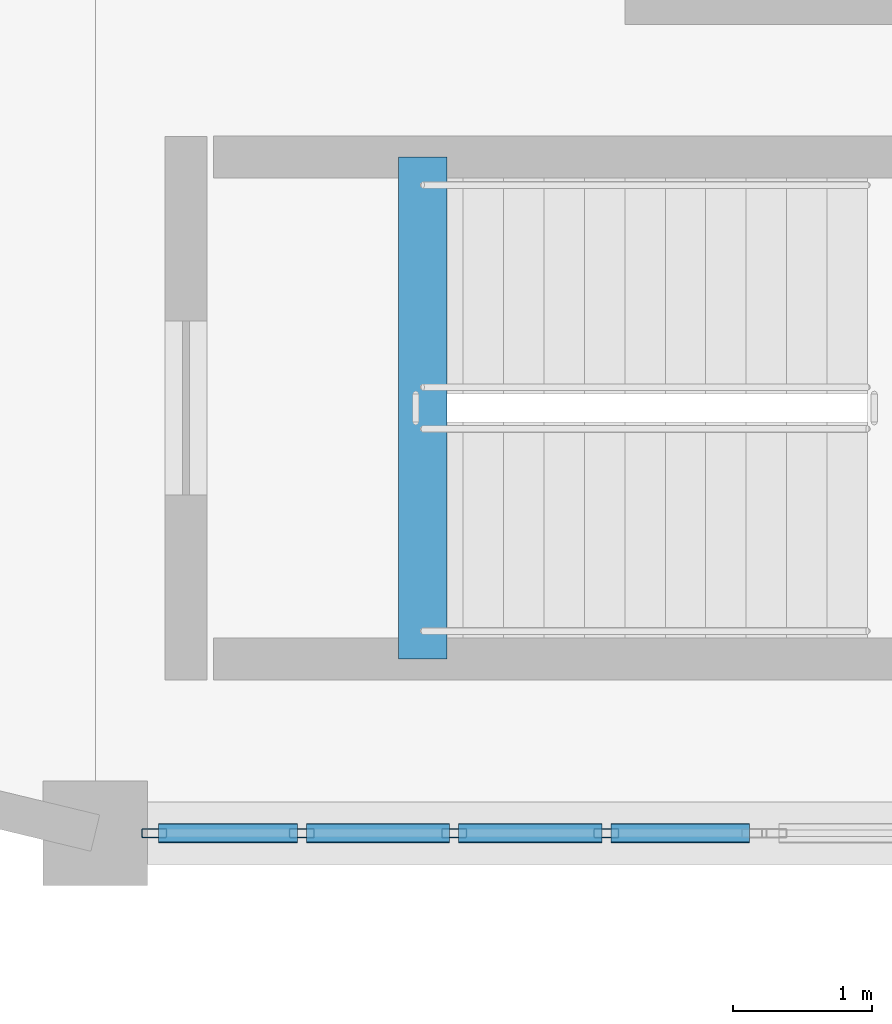
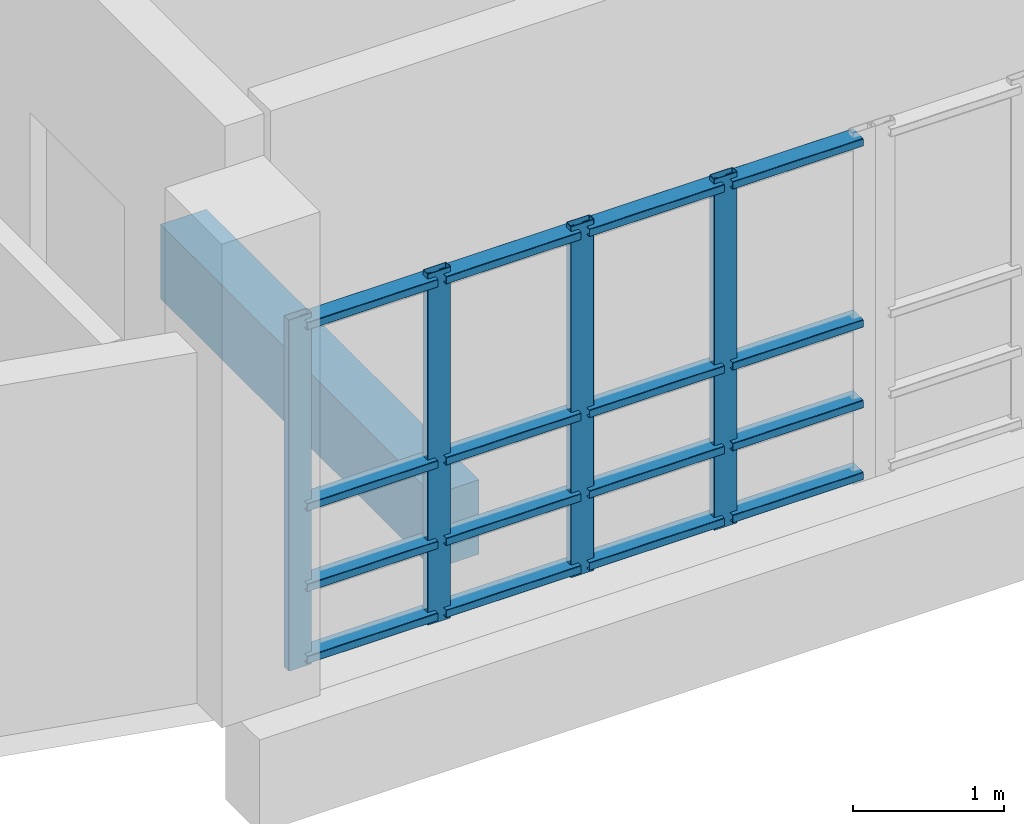
# One storey, part 113 of 188: 20 members, 1 beam, 1 element without a shape of its own.
"""IFC4 building model written with IfcOpenShell, lengths in metres."""

from ifc_helpers import new_model, si_unit, direction, frame, origin, origin_2d, place, context, subcontext, project, spatial, rectangle, hollow_rectangle, extrude, material, layer, layer_set, material_profile, profile_set, type_object, element, aggregate, save


model = new_model("IFC4")

# Units and contexts
model_context = context("Model", 3, precision=1e-05, world=origin(), true_north=direction((0.0, 1.0)))
body_context = subcontext(model_context, "Body", "Model", "MODEL_VIEW")
ifc_project = project(units=[si_unit("LENGTHUNIT", "METRE"), si_unit("AREAUNIT", "SQUARE_METRE"), si_unit("VOLUMEUNIT", "CUBIC_METRE"), si_unit("PLANEANGLEUNIT", "RADIAN"), si_unit("MASSUNIT", "GRAM", prefix="KILO")], contexts=[model_context])

# Site, building, storey
site_placement = place(None, origin())
site = spatial("IfcSite", under=ifc_project, at=site_placement, CompositionType="ELEMENT")
building_placement = place(site_placement, origin())
building = spatial("IfcBuilding", under=site, at=building_placement, Name="Kisaragi Civic Commons", CompositionType="ELEMENT")
storey_placement = place(building_placement, frame((0.0, 0.0, 9.60009765625)))
storey = spatial("IfcBuildingStorey", under=building, at=storey_placement, Name="L02", CompositionType="ELEMENT", Elevation=9.60009765625)

# Curtain wall, members
ifc_material_1 = material(Name="Thermally broken anodized aluminium and low-E double glazing", Category="aluminium")
ifc_layer = layer(ifc_material_1, 0.179931640625, Name="Thermally broken anodized aluminium and low-E double glazing", Category="aluminium")
ifc_layer_set = layer_set([ifc_layer], Name="Thermally broken anodized aluminium and low-E double glazing")
curtain_wall_type = type_object("IfcCurtainWallType", Name="CW-01", PredefinedType="NOTDEFINED", material=ifc_layer_set)
curtain_wall_placement = place(storey_placement, origin())
curtain_wall = element("IfcCurtainWall", 1, at=curtain_wall_placement, inside=storey, type_object=curtain_wall_type, Name="L02 curtain wall CW-01 CW-V4-L02-094", PredefinedType="NOTDEFINED")
ifc_material_profile_1 = material_profile(ifc_material_1, hollow_rectangle(XDim=0.06494140625, YDim=0.179931640625, WallThickness=0.00439453125, InnerFilletRadius=0.00439453125, OuterFilletRadius=0.009033203125, at=origin_2d()), Name="CWM-65x180x4.5", Category="aluminium")
ifc_profile_set_1 = profile_set([ifc_material_profile_1], Name="Thermally broken anodized aluminium and low-E double glazing")
member_type_1 = type_object("IfcMemberType", Name="CWM-02", PredefinedType="MULLION", material=ifc_profile_set_1)
member_1_placement = place(storey_placement, frame((127.267578125, 96.0, 0.0), z_axis=(0.0, 0.0, 1.0), x_axis=(0.0, -1.0, 0.0)))
member_1 = element("IfcMember", 2, at=member_1_placement, type_object=member_type_1, Name="CW-01 mullion 2", PredefinedType="MULLION", context=body_context, shape_type="SweptSolid", body=[
    extrude(hollow_rectangle(XDim=0.06494140625, YDim=0.179931640625, WallThickness=0.00439453125, InnerFilletRadius=0.00439453125, OuterFilletRadius=0.009033203125, at=origin_2d()), origin(), (0.0, 0.0, 1.0), 2.829833984375),
])
member_2_placement = place(storey_placement, frame((126.175048828125, 96.0, 0.0), z_axis=(0.0, 0.0, 1.0), x_axis=(0.0, -1.0, 0.0)))
member_2 = element("IfcMember", 3, at=member_2_placement, type_object=member_type_1, Name="CW-01 mullion 3", PredefinedType="MULLION", context=body_context, shape_type="SweptSolid", body=[
    extrude(hollow_rectangle(XDim=0.06494140625, YDim=0.179931640625, WallThickness=0.00439453125, InnerFilletRadius=0.00439453125, OuterFilletRadius=0.009033203125, at=origin_2d()), origin(), (0.0, 0.0, 1.0), 2.829833984375),
])
member_3_placement = place(storey_placement, frame((125.08251953125, 96.0, 0.0), z_axis=(0.0, 0.0, 1.0), x_axis=(0.0, -1.0, 0.0)))
member_3 = element("IfcMember", 4, at=member_3_placement, type_object=member_type_1, Name="CW-01 mullion 4", PredefinedType="MULLION", context=body_context, shape_type="SweptSolid", body=[
    extrude(hollow_rectangle(XDim=0.06494140625, YDim=0.179931640625, WallThickness=0.00439453125, InnerFilletRadius=0.00439453125, OuterFilletRadius=0.009033203125, at=origin_2d()), origin(), (0.0, 0.0, 1.0), 2.829833984375),
])
member_4_placement = place(storey_placement, frame((124.0224609375, 96.0, 0.0), z_axis=(0.0, 0.0, 1.0), x_axis=(0.0, -1.0, 0.0)))
member_4 = element("IfcMember", 5, at=member_4_placement, type_object=member_type_1, Name="CW-01 mullion 5", PredefinedType="MULLION", context=body_context, shape_type="SweptSolid", body=[
    extrude(hollow_rectangle(XDim=0.06494140625, YDim=0.179931640625, WallThickness=0.00439453125, InnerFilletRadius=0.00439453125, OuterFilletRadius=0.009033203125, at=origin_2d()), origin(), (0.0, 0.0, 1.0), 2.829833984375),
])
ifc_material_profile_2 = material_profile(ifc_material_1, hollow_rectangle(XDim=0.139892578125, YDim=0.06494140625, WallThickness=0.00439453125, InnerFilletRadius=0.00439453125, OuterFilletRadius=0.009033203125, at=origin_2d()), Name="CWT-65x140x4.5", Category="aluminium")
ifc_profile_set_2 = profile_set([ifc_material_profile_2], Name="Thermally broken anodized aluminium and low-E double glazing")
member_type_2 = type_object("IfcMemberType", Name="CWT-02", PredefinedType="USERDEFINED", material=ifc_profile_set_2)
member_5_placement = place(storey_placement, frame((128.294921875, 96.0, 0.06982421875), z_axis=(-1.0, 0.0, 0.0), x_axis=(0.0, -1.0, 0.0)))
member_5 = element("IfcMember", 6, at=member_5_placement, type_object=member_type_2, Name="CW-01 transom 1.1", ObjectType="TRANSOM", PredefinedType="USERDEFINED", context=body_context, shape_type="SweptSolid", body=[
    extrude(hollow_rectangle(XDim=0.139892578125, YDim=0.06494140625, WallThickness=0.00439453125, InnerFilletRadius=0.00439453125, OuterFilletRadius=0.009033203125, at=origin_2d()), origin(), (0.0, 0.0, 1.0), 0.994873046875),
])
member_6_placement = place(storey_placement, frame((128.294921875, 96.0, 0.64990234375), z_axis=(-1.0, 0.0, 0.0), x_axis=(0.0, -1.0, 0.0)))
member_6 = element("IfcMember", 7, at=member_6_placement, type_object=member_type_2, Name="CW-01 transom 1.2", ObjectType="TRANSOM", PredefinedType="USERDEFINED", context=body_context, shape_type="SweptSolid", body=[
    extrude(hollow_rectangle(XDim=0.139892578125, YDim=0.06494140625, WallThickness=0.00439453125, InnerFilletRadius=0.00439453125, OuterFilletRadius=0.009033203125, at=origin_2d()), origin(), (0.0, 0.0, 1.0), 0.994873046875),
])
member_7_placement = place(storey_placement, frame((128.294921875, 96.0, 1.2998046875), z_axis=(-1.0, 0.0, 0.0), x_axis=(0.0, -1.0, 0.0)))
member_7 = element("IfcMember", 8, at=member_7_placement, type_object=member_type_2, Name="CW-01 transom 1.3", ObjectType="TRANSOM", PredefinedType="USERDEFINED", context=body_context, shape_type="SweptSolid", body=[
    extrude(hollow_rectangle(XDim=0.139892578125, YDim=0.06494140625, WallThickness=0.00439453125, InnerFilletRadius=0.00439453125, OuterFilletRadius=0.009033203125, at=origin_2d()), origin(), (0.0, 0.0, 1.0), 0.994873046875),
])
member_8_placement = place(storey_placement, frame((128.294921875, 96.0, 2.760009765625), z_axis=(-1.0, 0.0, 0.0), x_axis=(0.0, -1.0, 0.0)))
member_8 = element("IfcMember", 9, at=member_8_placement, type_object=member_type_2, Name="CW-01 transom 1.4", ObjectType="TRANSOM", PredefinedType="USERDEFINED", context=body_context, shape_type="SweptSolid", body=[
    extrude(hollow_rectangle(XDim=0.139892578125, YDim=0.06494140625, WallThickness=0.00439453125, InnerFilletRadius=0.00439453125, OuterFilletRadius=0.009033203125, at=origin_2d()), origin(), (0.0, 0.0, 1.0), 0.994873046875),
])
member_9_placement = place(storey_placement, frame((127.235107421875, 96.0, 0.06982421875), z_axis=(-1.0, 0.0, 0.0), x_axis=(0.0, -1.0, 0.0)))
member_9 = element("IfcMember", 10, at=member_9_placement, type_object=member_type_2, Name="CW-01 transom 2.1", ObjectType="TRANSOM", PredefinedType="USERDEFINED", context=body_context, shape_type="SweptSolid", body=[
    extrude(hollow_rectangle(XDim=0.139892578125, YDim=0.06494140625, WallThickness=0.00439453125, InnerFilletRadius=0.00439453125, OuterFilletRadius=0.009033203125, at=origin_2d()), origin(), (0.0, 0.0, 1.0), 1.027587890625),
])
member_10_placement = place(storey_placement, frame((127.235107421875, 96.0, 0.64990234375), z_axis=(-1.0, 0.0, 0.0), x_axis=(0.0, -1.0, 0.0)))
member_10 = element("IfcMember", 11, at=member_10_placement, type_object=member_type_2, Name="CW-01 transom 2.2", ObjectType="TRANSOM", PredefinedType="USERDEFINED", context=body_context, shape_type="SweptSolid", body=[
    extrude(hollow_rectangle(XDim=0.139892578125, YDim=0.06494140625, WallThickness=0.00439453125, InnerFilletRadius=0.00439453125, OuterFilletRadius=0.009033203125, at=origin_2d()), origin(), (0.0, 0.0, 1.0), 1.027587890625),
])
member_11_placement = place(storey_placement, frame((127.235107421875, 96.0, 1.2998046875), z_axis=(-1.0, 0.0, 0.0), x_axis=(0.0, -1.0, 0.0)))
member_11 = element("IfcMember", 12, at=member_11_placement, type_object=member_type_2, Name="CW-01 transom 2.3", ObjectType="TRANSOM", PredefinedType="USERDEFINED", context=body_context, shape_type="SweptSolid", body=[
    extrude(hollow_rectangle(XDim=0.139892578125, YDim=0.06494140625, WallThickness=0.00439453125, InnerFilletRadius=0.00439453125, OuterFilletRadius=0.009033203125, at=origin_2d()), origin(), (0.0, 0.0, 1.0), 1.027587890625),
])
member_12_placement = place(storey_placement, frame((127.235107421875, 96.0, 2.760009765625), z_axis=(-1.0, 0.0, 0.0), x_axis=(0.0, -1.0, 0.0)))
member_12 = element("IfcMember", 13, at=member_12_placement, type_object=member_type_2, Name="CW-01 transom 2.4", ObjectType="TRANSOM", PredefinedType="USERDEFINED", context=body_context, shape_type="SweptSolid", body=[
    extrude(hollow_rectangle(XDim=0.139892578125, YDim=0.06494140625, WallThickness=0.00439453125, InnerFilletRadius=0.00439453125, OuterFilletRadius=0.009033203125, at=origin_2d()), origin(), (0.0, 0.0, 1.0), 1.027587890625),
])
member_13_placement = place(storey_placement, frame((126.142578125, 96.0, 0.06982421875), z_axis=(-1.0, 0.0, 0.0), x_axis=(0.0, -1.0, 0.0)))
member_13 = element("IfcMember", 14, at=member_13_placement, type_object=member_type_2, Name="CW-01 transom 3.1", ObjectType="TRANSOM", PredefinedType="USERDEFINED", context=body_context, shape_type="SweptSolid", body=[
    extrude(hollow_rectangle(XDim=0.139892578125, YDim=0.06494140625, WallThickness=0.00439453125, InnerFilletRadius=0.00439453125, OuterFilletRadius=0.009033203125, at=origin_2d()), origin(), (0.0, 0.0, 1.0), 1.027587890625),
])
member_14_placement = place(storey_placement, frame((126.142578125, 96.0, 0.64990234375), z_axis=(-1.0, 0.0, 0.0), x_axis=(0.0, -1.0, 0.0)))
member_14 = element("IfcMember", 15, at=member_14_placement, type_object=member_type_2, Name="CW-01 transom 3.2", ObjectType="TRANSOM", PredefinedType="USERDEFINED", context=body_context, shape_type="SweptSolid", body=[
    extrude(hollow_rectangle(XDim=0.139892578125, YDim=0.06494140625, WallThickness=0.00439453125, InnerFilletRadius=0.00439453125, OuterFilletRadius=0.009033203125, at=origin_2d()), origin(), (0.0, 0.0, 1.0), 1.027587890625),
])
member_15_placement = place(storey_placement, frame((126.142578125, 96.0, 1.2998046875), z_axis=(-1.0, 0.0, 0.0), x_axis=(0.0, -1.0, 0.0)))
member_15 = element("IfcMember", 16, at=member_15_placement, type_object=member_type_2, Name="CW-01 transom 3.3", ObjectType="TRANSOM", PredefinedType="USERDEFINED", context=body_context, shape_type="SweptSolid", body=[
    extrude(hollow_rectangle(XDim=0.139892578125, YDim=0.06494140625, WallThickness=0.00439453125, InnerFilletRadius=0.00439453125, OuterFilletRadius=0.009033203125, at=origin_2d()), origin(), (0.0, 0.0, 1.0), 1.027587890625),
])
member_16_placement = place(storey_placement, frame((126.142578125, 96.0, 2.760009765625), z_axis=(-1.0, 0.0, 0.0), x_axis=(0.0, -1.0, 0.0)))
member_16 = element("IfcMember", 17, at=member_16_placement, type_object=member_type_2, Name="CW-01 transom 3.4", ObjectType="TRANSOM", PredefinedType="USERDEFINED", context=body_context, shape_type="SweptSolid", body=[
    extrude(hollow_rectangle(XDim=0.139892578125, YDim=0.06494140625, WallThickness=0.00439453125, InnerFilletRadius=0.00439453125, OuterFilletRadius=0.009033203125, at=origin_2d()), origin(), (0.0, 0.0, 1.0), 1.027587890625),
])
member_17_placement = place(storey_placement, frame((125.050048828125, 96.0, 0.06982421875), z_axis=(-1.0, 0.0, 0.0), x_axis=(0.0, -1.0, 0.0)))
member_17 = element("IfcMember", 18, at=member_17_placement, type_object=member_type_2, Name="CW-01 transom 4.1", ObjectType="TRANSOM", PredefinedType="USERDEFINED", context=body_context, shape_type="SweptSolid", body=[
    extrude(hollow_rectangle(XDim=0.139892578125, YDim=0.06494140625, WallThickness=0.00439453125, InnerFilletRadius=0.00439453125, OuterFilletRadius=0.009033203125, at=origin_2d()), origin(), (0.0, 0.0, 1.0), 0.9951171875),
])
member_18_placement = place(storey_placement, frame((125.050048828125, 96.0, 0.64990234375), z_axis=(-1.0, 0.0, 0.0), x_axis=(0.0, -1.0, 0.0)))
member_18 = element("IfcMember", 19, at=member_18_placement, type_object=member_type_2, Name="CW-01 transom 4.2", ObjectType="TRANSOM", PredefinedType="USERDEFINED", context=body_context, shape_type="SweptSolid", body=[
    extrude(hollow_rectangle(XDim=0.139892578125, YDim=0.06494140625, WallThickness=0.00439453125, InnerFilletRadius=0.00439453125, OuterFilletRadius=0.009033203125, at=origin_2d()), origin(), (0.0, 0.0, 1.0), 0.9951171875),
])
member_19_placement = place(storey_placement, frame((125.050048828125, 96.0, 1.2998046875), z_axis=(-1.0, 0.0, 0.0), x_axis=(0.0, -1.0, 0.0)))
member_19 = element("IfcMember", 20, at=member_19_placement, type_object=member_type_2, Name="CW-01 transom 4.3", ObjectType="TRANSOM", PredefinedType="USERDEFINED", context=body_context, shape_type="SweptSolid", body=[
    extrude(hollow_rectangle(XDim=0.139892578125, YDim=0.06494140625, WallThickness=0.00439453125, InnerFilletRadius=0.00439453125, OuterFilletRadius=0.009033203125, at=origin_2d()), origin(), (0.0, 0.0, 1.0), 0.9951171875),
])
member_20_placement = place(storey_placement, frame((125.050048828125, 96.0, 2.760009765625), z_axis=(-1.0, 0.0, 0.0), x_axis=(0.0, -1.0, 0.0)))
member_20 = element("IfcMember", 21, at=member_20_placement, type_object=member_type_2, Name="CW-01 transom 4.4", ObjectType="TRANSOM", PredefinedType="USERDEFINED", context=body_context, shape_type="SweptSolid", body=[
    extrude(hollow_rectangle(XDim=0.139892578125, YDim=0.06494140625, WallThickness=0.00439453125, InnerFilletRadius=0.00439453125, OuterFilletRadius=0.009033203125, at=origin_2d()), origin(), (0.0, 0.0, 1.0), 0.9951171875),
])
aggregate(curtain_wall, [member_1, member_2, member_3, member_4, member_5, member_6, member_7, member_8, member_9, member_10, member_11, member_12, member_13, member_14, member_15, member_16, member_17, member_18, member_19, member_20])

# Beam
ifc_material_2 = material(Name="Concrete Fc30", Category="concrete")
ifc_material_profile_3 = material_profile(ifc_material_2, rectangle(XDim=0.35009765625, YDim=0.60009765625, at=origin_2d()), Name="RC-350x600", Category="concrete")
ifc_profile_set_3 = profile_set([ifc_material_profile_3], Name="Concrete Fc30")
beam_type = type_object("IfcBeamType", Name="G-14", PredefinedType="BEAM", material=ifc_profile_set_3)
beam_placement = place(storey_placement, frame((125.949951171875, 97.25, -0.300048828125), z_axis=(0.0, 1.0, 0.0), x_axis=(-1.0, 0.0, 0.0)))
element("IfcBeam", 22, at=beam_placement, inside=storey, type_object=beam_type, Name="ST-L3 L02 stair landing trimmer beam", PredefinedType="BEAM", context=body_context, shape_type="SweptSolid", body=[
    extrude(rectangle(XDim=0.35009765625, YDim=0.60009765625, at=origin_2d()), origin(), (0.0, 0.0, 1.0), 3.60009765625),
])

save(model, "model.ifc")
